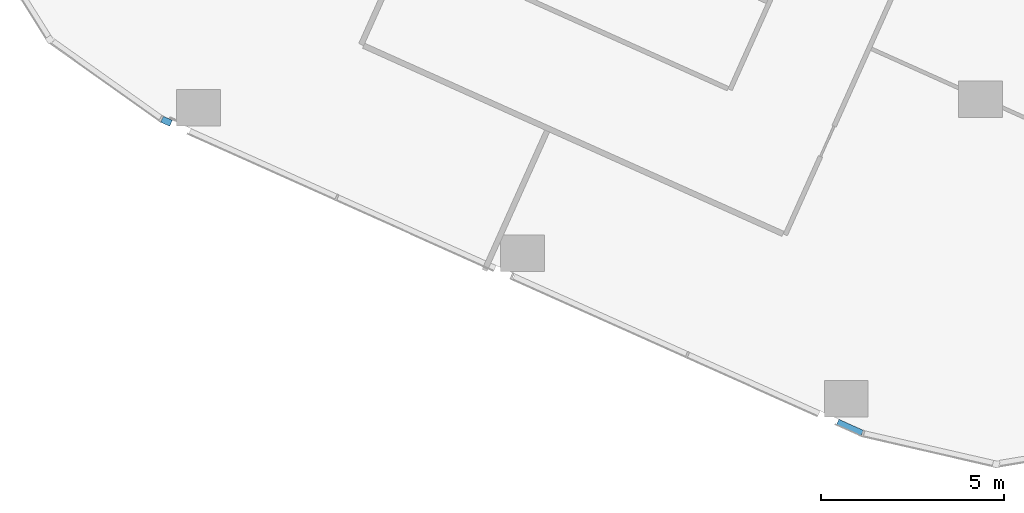
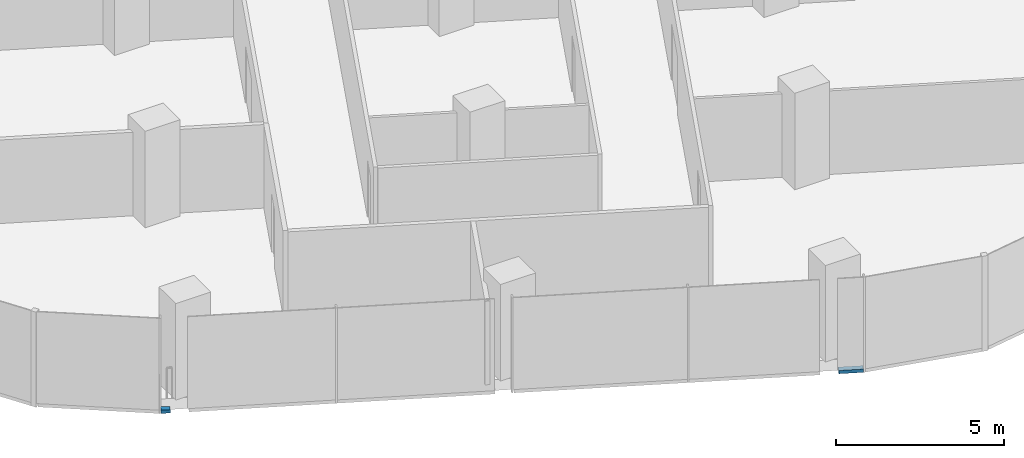
# One storey, part 16 of 34: 2 members, 1 element without a shape of its own.
"""IFC4 building model written with IfcOpenShell, lengths in metres."""

from ifc_helpers import new_model, si_unit, direction, frame, origin, origin_2d, place, context, subcontext, project, spatial, rectangle, extrude, material, material_profile, profile_set, type_object, element, aggregate, save


model = new_model("IFC4")

# Units and contexts
model_context = context("Model", 3, precision=1e-05, world=origin(), true_north=direction((0.0, 1.0)))
body_context = subcontext(model_context, "Body", "Model", "MODEL_VIEW")
ifc_project = project(units=[si_unit("LENGTHUNIT", "METRE"), si_unit("AREAUNIT", "SQUARE_METRE"), si_unit("VOLUMEUNIT", "CUBIC_METRE"), si_unit("PLANEANGLEUNIT", "RADIAN"), si_unit("MASSUNIT", "GRAM", prefix="KILO")], contexts=[model_context])

# Site, building, storey
site_placement = place(None, origin())
site = spatial("IfcSite", under=ifc_project, at=site_placement, CompositionType="ELEMENT")
building_placement = place(site_placement, origin())
building = spatial("IfcBuilding", under=site, at=building_placement, Name="Orlundy Tower", CompositionType="ELEMENT")
storey_placement = place(building_placement, frame((0.0, 0.0, 137.699951171875)))
storey = spatial("IfcBuildingStorey", under=building, at=storey_placement, Name="L35", CompositionType="ELEMENT", Elevation=137.699951171875)

# Curtain wall, members
ifc_material_1 = material(Name="Aluminium bronze anodised", Category="aluminium")
curtain_wall_type = type_object("IfcCurtainWallType", Name="CW1 wall", PredefinedType="NOTDEFINED", material=ifc_material_1)
curtain_wall_placement = place(storey_placement, origin())
curtain_wall = element("IfcCurtainWall", 1, at=curtain_wall_placement, inside=storey, type_object=curtain_wall_type, Name="CW1 run 023", PredefinedType="NOTDEFINED")
ifc_material_2 = material(Name="Aluminium bronze anodised", Category="aluminium")
ifc_material_profile = material_profile(ifc_material_2, rectangle(XDim=0.179931640625, YDim=0.1201171875, at=origin_2d()), Name="CW1 transom 180x120")
ifc_profile_set = profile_set([ifc_material_profile], Name="Aluminium bronze anodised")
member_type = type_object("IfcMemberType", Name="CW1 transom 180x120", PredefinedType="USERDEFINED", material=ifc_profile_set)
member_1_placement = place(storey_placement, frame((-15.23974609375, -59.571533203125, -0.33984375), z_axis=(-0.912282218677, 0.409562148502, 0.0), x_axis=(-0.409562148502, -0.912282218677, 0.0)))
member_1 = element("IfcMember", 2, at=member_1_placement, type_object=member_type, Name="CW1 transom", ObjectType="TRANSOM", PredefinedType="USERDEFINED", context=body_context, shape_type="SweptSolid", body=[
    extrude(rectangle(XDim=0.179931640625, YDim=0.1201171875, at=origin_2d()), origin(), (0.0, 0.0, 1.0), 0.73388671875),
])
member_2_placement = place(storey_placement, frame((-34.1220703125, -51.09912109375, -0.33984375), z_axis=(-0.912324305471, 0.40946838907, 0.0), x_axis=(-0.40946838907, -0.912324305471, 0.0)))
member_2 = element("IfcMember", 3, at=member_2_placement, type_object=member_type, Name="CW1 transom", ObjectType="TRANSOM", PredefinedType="USERDEFINED", context=body_context, shape_type="SweptSolid", body=[
    extrude(rectangle(XDim=0.179931640625, YDim=0.1201171875, at=origin_2d()), origin(), (0.0, 0.0, 1.0), 0.27197265625),
])
aggregate(curtain_wall, [member_1, member_2])

save(model, "model.ifc")
